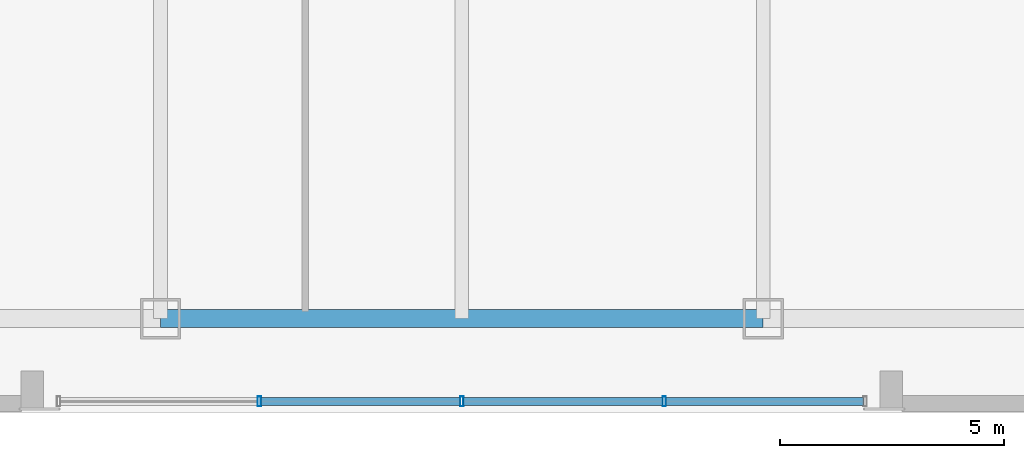
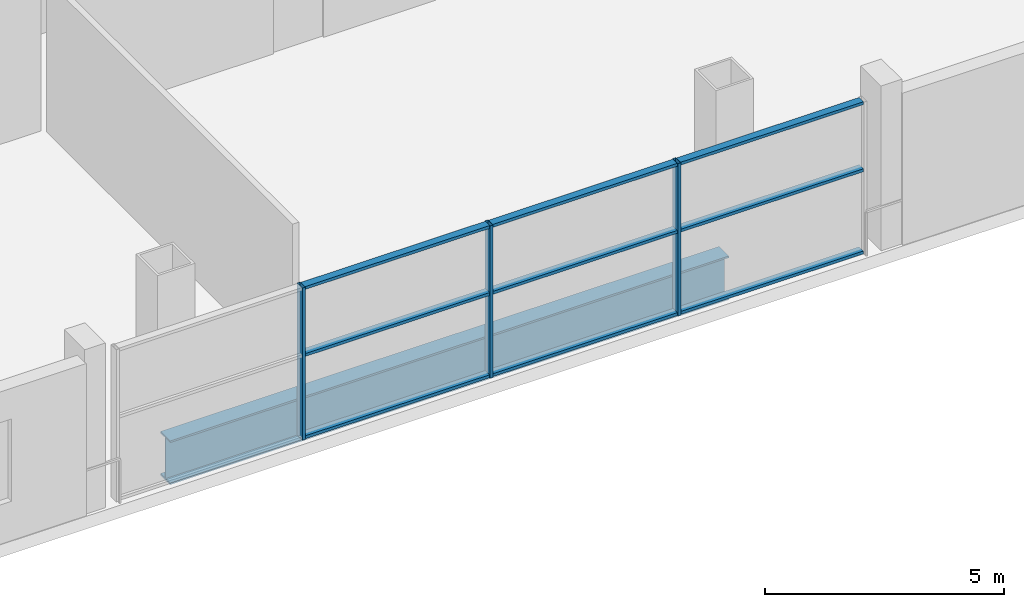
# One storey, part 4 of 21: 12 members, 1 beam, 1 element without a shape of its own.
"""IFC4 building model written with IfcOpenShell, lengths in metres."""

from ifc_helpers import new_model, si_unit, direction, frame, origin, origin_2d, place, context, subcontext, project, spatial, hollow_rectangle, i_section, extrude, material, layer, layer_set, material_profile, profile_set, type_object, element, aggregate, save


model = new_model("IFC4")

# Units and contexts
model_context = context("Model", 3, precision=1e-05, world=origin(), true_north=direction((0.0, 1.0)))
body_context = subcontext(model_context, "Body", "Model", "MODEL_VIEW")
ifc_project = project(units=[si_unit("LENGTHUNIT", "METRE"), si_unit("AREAUNIT", "SQUARE_METRE"), si_unit("VOLUMEUNIT", "CUBIC_METRE"), si_unit("PLANEANGLEUNIT", "RADIAN"), si_unit("MASSUNIT", "GRAM", prefix="KILO")], contexts=[model_context])

# Site, building, storey
site_placement = place(None, origin())
site = spatial("IfcSite", under=ifc_project, at=site_placement, CompositionType="ELEMENT")
building_placement = place(site_placement, origin())
building = spatial("IfcBuilding", under=site, at=building_placement, Name="Qhalaya Broadcast Tower", CompositionType="ELEMENT")
storey_placement = place(building_placement, frame((0.0, 0.0, 5.10009765625)))
storey = spatial("IfcBuildingStorey", under=building, at=storey_placement, Name="L01", CompositionType="ELEMENT", Elevation=5.10009765625)

# Beam
ifc_material_1 = material(Name="Structural Steel ASTM A992 Grade 50", Category="steel")
ifc_material_profile_1 = material_profile(ifc_material_1, i_section(OverallWidth=0.404052734375, OverallDepth=1.117919921875, WebThickness=0.026123046875, FlangeThickness=0.044921875, at=origin_2d()), Name="W44X335")
ifc_profile_set_1 = profile_set([ifc_material_profile_1], Name="Structural Steel ASTM A992 Grade 50")
beam_type = type_object("IfcBeamType", Name="Podium Long-Span Primary Girder PG1", PredefinedType="USERDEFINED", material=ifc_profile_set_1)
beam_placement = place(storey_placement, frame((-6.7333984375, -25.89990234375, -0.879150390625), z_axis=(1.0, 0.0, 0.0), x_axis=(0.0, 1.0, 0.0)))
element("IfcBeam", 1, at=beam_placement, inside=storey, type_object=beam_type, Name="L01 PG1 L01-PG-R02", ObjectType="GIRDER", PredefinedType="USERDEFINED", context=body_context, shape_type="SweptSolid", body=[
    extrude(i_section(OverallWidth=0.404052734375, OverallDepth=1.117919921875, WebThickness=0.026123046875, FlangeThickness=0.044921875, at=origin_2d()), origin(), (0.0, 0.0, 1.0), 13.466796875),
])

# Curtain wall, members
ifc_material_2 = material(Name="Solar-Control Low-E Triple Glazing", Category="glass")
ifc_layer = layer(ifc_material_2, 0.219970703125, Name="Solar-Control Low-E Triple Glazing")
ifc_layer_set = layer_set([ifc_layer], Name="Solar-Control Low-E Triple Glazing")
curtain_wall_type = type_object("IfcCurtainWallType", Name="Podium Concourse Triple-Height Glazed Portal CW-01", PredefinedType="NOTDEFINED", material=ifc_layer_set)
curtain_wall_placement = place(storey_placement, origin())
curtain_wall = element("IfcCurtainWall", 2, at=curtain_wall_placement, inside=storey, type_object=curtain_wall_type, Name="L01 Unitised Curtain Wall L01-CW01-S", PredefinedType="NOTDEFINED")
ifc_material_3 = material(Name="Anodised Aluminium 6063-T6", Category="aluminium")
ifc_material_profile_2 = material_profile(ifc_material_3, hollow_rectangle(XDim=0.074951171875, YDim=0.219970703125, WallThickness=0.00390625, at=origin_2d()), Name="ALU-MUL 75x220x4")
ifc_profile_set_2 = profile_set([ifc_material_profile_2], Name="Anodised Aluminium 6063-T6")
member_type_1 = type_object("IfcMemberType", Name="Unitised Curtain-Wall Mullion M01", PredefinedType="MULLION", material=ifc_profile_set_2)
member_1_placement = place(storey_placement, frame((-4.52490234375, -27.75, 0.0), z_axis=(0.0, 0.0, 1.0), x_axis=(1.0, 0.0, 0.0)))
member_1 = element("IfcMember", 3, at=member_1_placement, type_object=member_type_1, Name="CW-01 mullion 2", PredefinedType="MULLION", context=body_context, shape_type="SweptSolid", body=[
    extrude(hollow_rectangle(XDim=0.074951171875, YDim=0.219970703125, WallThickness=0.00390625, at=origin_2d()), origin(), (0.0, 0.0, 1.0), 3.8798828125),
])
member_2_placement = place(storey_placement, frame((0.0, -27.75, 0.0), z_axis=(0.0, 0.0, 1.0), x_axis=(1.0, 0.0, 0.0)))
member_2 = element("IfcMember", 4, at=member_2_placement, type_object=member_type_1, Name="CW-01 mullion 3", PredefinedType="MULLION", context=body_context, shape_type="SweptSolid", body=[
    extrude(hollow_rectangle(XDim=0.074951171875, YDim=0.219970703125, WallThickness=0.00390625, at=origin_2d()), origin(), (0.0, 0.0, 1.0), 3.8798828125),
])
member_3_placement = place(storey_placement, frame((4.52490234375, -27.75, 0.0), z_axis=(0.0, 0.0, 1.0), x_axis=(1.0, 0.0, 0.0)))
member_3 = element("IfcMember", 5, at=member_3_placement, type_object=member_type_1, Name="CW-01 mullion 4", PredefinedType="MULLION", context=body_context, shape_type="SweptSolid", body=[
    extrude(hollow_rectangle(XDim=0.074951171875, YDim=0.219970703125, WallThickness=0.00390625, at=origin_2d()), origin(), (0.0, 0.0, 1.0), 3.8798828125),
])
ifc_material_profile_3 = material_profile(ifc_material_3, hollow_rectangle(XDim=0.074951171875, YDim=0.179931640625, WallThickness=0.00390625, at=origin_2d()), Name="ALU-TRN 75x180x4")
ifc_profile_set_3 = profile_set([ifc_material_profile_3], Name="Anodised Aluminium 6063-T6")
member_type_2 = type_object("IfcMemberType", Name="Unitised Curtain-Wall Transom T01", PredefinedType="USERDEFINED", material=ifc_profile_set_3)
member_4_placement = place(storey_placement, frame((-4.487548828125, -27.75, 0.037353515625), z_axis=(1.0, 0.0, 0.0), x_axis=(0.0, 0.0, 1.0)))
member_4 = element("IfcMember", 6, at=member_4_placement, type_object=member_type_2, Name="CW-01 transom 2.1", ObjectType="TRANSOM", PredefinedType="USERDEFINED", context=body_context, shape_type="SweptSolid", body=[
    extrude(hollow_rectangle(XDim=0.074951171875, YDim=0.179931640625, WallThickness=0.00390625, at=origin_2d()), origin(), (0.0, 0.0, 1.0), 4.449951171875),
])
member_5_placement = place(storey_placement, frame((-4.487548828125, -27.75, 2.1337890625), z_axis=(1.0, 0.0, 0.0), x_axis=(0.0, 0.0, 1.0)))
member_5 = element("IfcMember", 7, at=member_5_placement, type_object=member_type_2, Name="CW-01 transom 2.2", ObjectType="TRANSOM", PredefinedType="USERDEFINED", context=body_context, shape_type="SweptSolid", body=[
    extrude(hollow_rectangle(XDim=0.074951171875, YDim=0.179931640625, WallThickness=0.00390625, at=origin_2d()), origin(), (0.0, 0.0, 1.0), 4.449951171875),
])
member_6_placement = place(storey_placement, frame((-4.487548828125, -27.75, 3.84228515625), z_axis=(1.0, 0.0, 0.0), x_axis=(0.0, 0.0, 1.0)))
member_6 = element("IfcMember", 8, at=member_6_placement, type_object=member_type_2, Name="CW-01 transom 2.3", ObjectType="TRANSOM", PredefinedType="USERDEFINED", context=body_context, shape_type="SweptSolid", body=[
    extrude(hollow_rectangle(XDim=0.074951171875, YDim=0.179931640625, WallThickness=0.00390625, at=origin_2d()), origin(), (0.0, 0.0, 1.0), 4.449951171875),
])
member_7_placement = place(storey_placement, frame((0.03759765625, -27.75, 0.037353515625), z_axis=(1.0, 0.0, 0.0), x_axis=(0.0, 0.0, 1.0)))
member_7 = element("IfcMember", 9, at=member_7_placement, type_object=member_type_2, Name="CW-01 transom 3.1", ObjectType="TRANSOM", PredefinedType="USERDEFINED", context=body_context, shape_type="SweptSolid", body=[
    extrude(hollow_rectangle(XDim=0.074951171875, YDim=0.179931640625, WallThickness=0.00390625, at=origin_2d()), origin(), (0.0, 0.0, 1.0), 4.449951171875),
])
member_8_placement = place(storey_placement, frame((0.03759765625, -27.75, 2.1337890625), z_axis=(1.0, 0.0, 0.0), x_axis=(0.0, 0.0, 1.0)))
member_8 = element("IfcMember", 10, at=member_8_placement, type_object=member_type_2, Name="CW-01 transom 3.2", ObjectType="TRANSOM", PredefinedType="USERDEFINED", context=body_context, shape_type="SweptSolid", body=[
    extrude(hollow_rectangle(XDim=0.074951171875, YDim=0.179931640625, WallThickness=0.00390625, at=origin_2d()), origin(), (0.0, 0.0, 1.0), 4.449951171875),
])
member_9_placement = place(storey_placement, frame((0.03759765625, -27.75, 3.84228515625), z_axis=(1.0, 0.0, 0.0), x_axis=(0.0, 0.0, 1.0)))
member_9 = element("IfcMember", 11, at=member_9_placement, type_object=member_type_2, Name="CW-01 transom 3.3", ObjectType="TRANSOM", PredefinedType="USERDEFINED", context=body_context, shape_type="SweptSolid", body=[
    extrude(hollow_rectangle(XDim=0.074951171875, YDim=0.179931640625, WallThickness=0.00390625, at=origin_2d()), origin(), (0.0, 0.0, 1.0), 4.449951171875),
])
member_10_placement = place(storey_placement, frame((4.5625, -27.75, 0.037353515625), z_axis=(1.0, 0.0, 0.0), x_axis=(0.0, 0.0, 1.0)))
member_10 = element("IfcMember", 12, at=member_10_placement, type_object=member_type_2, Name="CW-01 transom 4.1", ObjectType="TRANSOM", PredefinedType="USERDEFINED", context=body_context, shape_type="SweptSolid", body=[
    extrude(hollow_rectangle(XDim=0.074951171875, YDim=0.179931640625, WallThickness=0.00390625, at=origin_2d()), origin(), (0.0, 0.0, 1.0), 4.41259765625),
])
member_11_placement = place(storey_placement, frame((4.5625, -27.75, 2.1337890625), z_axis=(1.0, 0.0, 0.0), x_axis=(0.0, 0.0, 1.0)))
member_11 = element("IfcMember", 13, at=member_11_placement, type_object=member_type_2, Name="CW-01 transom 4.2", ObjectType="TRANSOM", PredefinedType="USERDEFINED", context=body_context, shape_type="SweptSolid", body=[
    extrude(hollow_rectangle(XDim=0.074951171875, YDim=0.179931640625, WallThickness=0.00390625, at=origin_2d()), origin(), (0.0, 0.0, 1.0), 4.41259765625),
])
member_12_placement = place(storey_placement, frame((4.5625, -27.75, 3.84228515625), z_axis=(1.0, 0.0, 0.0), x_axis=(0.0, 0.0, 1.0)))
member_12 = element("IfcMember", 14, at=member_12_placement, type_object=member_type_2, Name="CW-01 transom 4.3", ObjectType="TRANSOM", PredefinedType="USERDEFINED", context=body_context, shape_type="SweptSolid", body=[
    extrude(hollow_rectangle(XDim=0.074951171875, YDim=0.179931640625, WallThickness=0.00390625, at=origin_2d()), origin(), (0.0, 0.0, 1.0), 4.41259765625),
])
aggregate(curtain_wall, [member_1, member_2, member_3, member_4, member_5, member_6, member_7, member_8, member_9, member_10, member_11, member_12])

save(model, "model.ifc")
